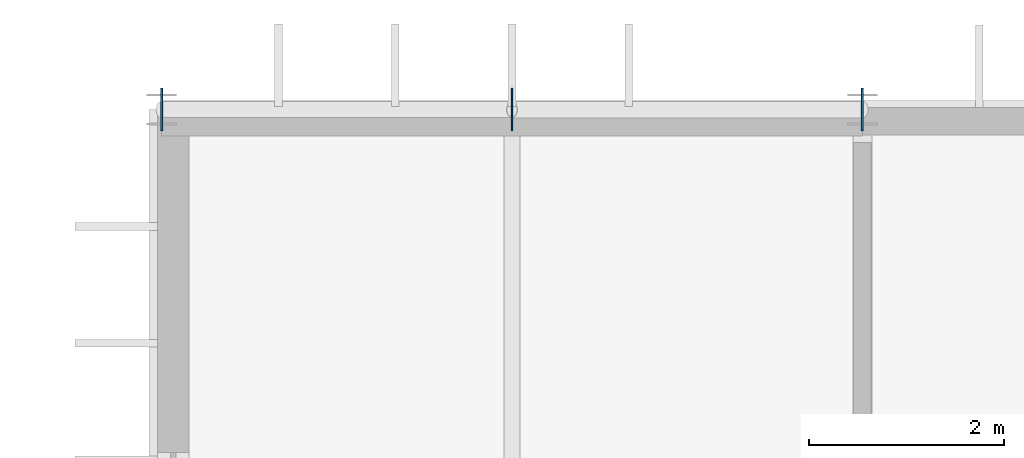
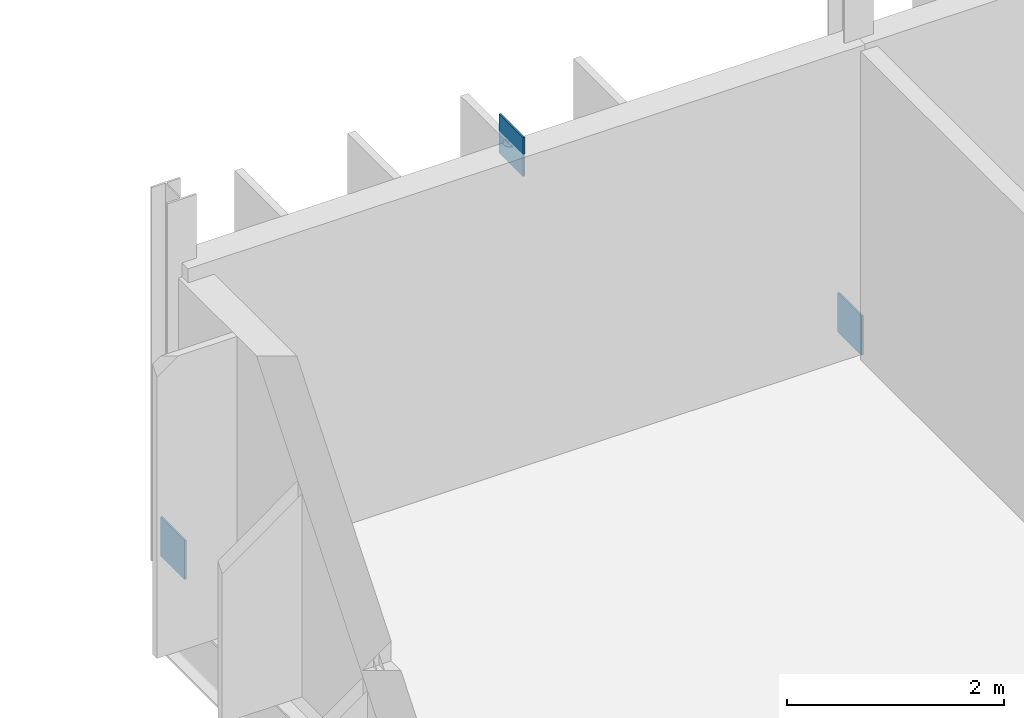
# One storey, part 74 of 99: 3 plates.
"""IFC4 building model written with IfcOpenShell, lengths in metres."""

import ifcopenshell
import ifcopenshell.guid

model = None  # the IFC model being written
_history = None  # IfcOwnerHistory: only IFC2X3 demands one
_inside = {}  # id of a spatial element -> (the spatial element, [elements in it])
_under = {}  # id of a project, library or spatial element -> (it, [spatial elements below it])
_declared = {}  # id of a project -> (the project, [libraries it declares])
_typed = {}  # id of a type object -> (the type object, [elements of that type])
_made_of = {}  # id of a material, layer set ... -> (it, [elements and type objects made of it])


def new_model(schema):
    """Start an empty IFC model of exactly this schema.

    Asked for "IFC4X3", IfcOpenShell would pick the latest addendum, in which some entities
    have other attributes; the version numbers below select the first issue.
    IFC2X3 requires an IfcOwnerHistory on every rooted entity: one is made here for all.
    """
    global model, _history
    if schema == "IFC4X3":
        model = ifcopenshell.file(schema_version=(4, 3, 0, 0))
    else:
        model = ifcopenshell.file(schema=schema)
    _inside.clear()
    _under.clear()
    _declared.clear()
    _typed.clear()
    _made_of.clear()
    _history = None
    if model.schema == "IFC2X3":
        org = make("IfcOrganization", Name="unknown")
        user = make(
            "IfcPersonAndOrganization",
            ThePerson=make("IfcPerson", FamilyName="unknown"),
            TheOrganization=org,
        )
        app = make(
            "IfcApplication",
            ApplicationDeveloper=org,
            Version="unknown",
            ApplicationFullName="unknown",
            ApplicationIdentifier="unknown",
        )
        _history = make(
            "IfcOwnerHistory",
            OwningUser=user,
            OwningApplication=app,
            ChangeAction="ADDED",
            CreationDate=0,
        )
    return model


def make(cls, **values):
    """One entity of the class cls with the attributes given. An attribute that is None is left unset."""
    return model.create_entity(
        cls, **{name: value for name, value in values.items() if value is not None}
    )


def rooted(cls, **values):
    """An entity with a GlobalId (a new one), such as an element, a storey or a relation."""
    return make(cls, GlobalId=ifcopenshell.guid.new(), OwnerHistory=_history, **values)


def si_unit(unit_type, name, prefix=None):
    """IfcSIUnit, for example si_unit("LENGTHUNIT", "METRE", prefix="MILLI")."""
    return make("IfcSIUnit", UnitType=unit_type, Prefix=prefix, Name=name)


def assignment(units):
    """IfcUnitAssignment: the units of a project."""
    return None if units is None else make("IfcUnitAssignment", Units=units)


def point(xyz):
    """IfcCartesianPoint."""
    return None if xyz is None else make("IfcCartesianPoint", Coordinates=xyz)


def direction(xyz):
    """IfcDirection."""
    return None if xyz is None else make("IfcDirection", DirectionRatios=xyz)


def frame(location, z_axis=None, x_axis=None):
    """IfcAxis2Placement3D, a coordinate frame: its origin and axes. An axis left out is left unset."""
    return make(
        "IfcAxis2Placement3D",
        Location=point(location),
        Axis=direction(z_axis),
        RefDirection=direction(x_axis),
    )


def frame_2d(location, x_axis=None):
    """IfcAxis2Placement2D, a coordinate frame in the plane: its origin and x axis."""
    return make(
        "IfcAxis2Placement2D", Location=point(location), RefDirection=direction(x_axis)
    )


def origin():
    """The frame at (0, 0, 0) with its axes left unset."""
    return frame((0.0, 0.0, 0.0))


def origin_2d():
    """The frame at (0, 0) in the plane with its x axis left unset."""
    return frame_2d((0.0, 0.0))


def place(relative_to, where):
    """IfcLocalPlacement: puts the frame where relative to a parent placement (None: the world)."""
    return make(
        "IfcLocalPlacement", PlacementRelTo=relative_to, RelativePlacement=where
    )


def context(
    kind, dimensions, precision=None, world=None, true_north=None, identifier=None
):
    """IfcGeometricRepresentationContext, for example the 3D "Model" context."""
    return make(
        "IfcGeometricRepresentationContext",
        ContextIdentifier=identifier,
        ContextType=kind,
        CoordinateSpaceDimension=dimensions,
        Precision=precision,
        WorldCoordinateSystem=world,
        TrueNorth=true_north,
    )


def subcontext(parent, identifier, kind, view, scale=None):
    """IfcGeometricRepresentationSubContext, for example "Body" below "Model"."""
    return make(
        "IfcGeometricRepresentationSubContext",
        ContextIdentifier=identifier,
        ContextType=kind,
        ParentContext=parent,
        TargetScale=scale,
        TargetView=view,
    )


def project(units=None, contexts=None):
    """IfcProject with its units and contexts."""
    return rooted(
        "IfcProject",
        Name="project",
        RepresentationContexts=contexts,
        UnitsInContext=assignment(units),
    )


def spatial(cls, under=None, at=None, **own):
    """A site, building, storey or space (cls), placed at a placement, below another one or the project."""
    s = rooted(cls, ObjectPlacement=at, **own)
    if under is not None:
        _under.setdefault(under.id(), (under, []))[1].append(s)
    return s


def profile(cls, at=None, kind="AREA", **sizes):
    """A parametric profile (cls). Its sizes go by their IFC names, for example OverallWidth=200.0."""
    return make(cls, ProfileType=kind, Position=at, **sizes)


def rectangle(**sizes):
    """IfcRectangleProfileDef."""
    return profile("IfcRectangleProfileDef", **sizes)


def extrude(swept, where, along, depth):
    """IfcExtrudedAreaSolid: the profile swept, set in the frame where, extruded along a direction by depth."""
    return make(
        "IfcExtrudedAreaSolid",
        SweptArea=swept,
        Position=where,
        ExtrudedDirection=direction(along),
        Depth=depth,
    )


def shape(context_of_items, identifier, shape_type, items):
    """IfcShapeRepresentation: the items that make up one representation, for example the "Body"."""
    return make(
        "IfcShapeRepresentation",
        ContextOfItems=context_of_items,
        RepresentationIdentifier=identifier,
        RepresentationType=shape_type,
        Items=items,
    )


def material(Name=None, Category=None):
    """IfcMaterial."""
    return make("IfcMaterial", Name=Name, Category=Category)


def layer(
    of_material, thickness, ventilated=None, Name=None, Category=None, Priority=None
):
    """IfcMaterialLayer: one layer of a wall or slab, of a material (None: an air gap)."""
    return make(
        "IfcMaterialLayer",
        Material=of_material,
        LayerThickness=thickness,
        IsVentilated=ventilated,
        Name=Name,
        Category=Category,
        Priority=Priority,
    )


def layer_set(layers, Name=None):
    """IfcMaterialLayerSet."""
    return make("IfcMaterialLayerSet", MaterialLayers=layers, LayerSetName=Name)


def made_of(thing, what):
    """Note that an element or type object is made of a material, layer set ...; save() writes the relation."""
    if what is not None:
        _made_of.setdefault(what.id(), (what, []))[1].append(thing)
    return thing


def type_object(cls, material=None, **own):
    """A type object (cls), such as IfcWallType, which elements share."""
    return made_of(rooted(cls, **own), material)


def element(
    cls,
    number,
    at=None,
    inside=None,
    cuts=None,
    type_object=None,
    material=None,
    context=None,
    identifier="Body",
    shape_type=None,
    held_by="IfcProductDefinitionShape",
    body=None,
    shapes=None,
    **own,
):
    """One element of the class cls, such as IfcWall. Its Tag is "e" and its number.

    at: its placement. inside: the storey or other place that contains it. cuts: it is an
    opening in that element (IfcRelVoidsElement). A single representation is given by context,
    identifier, shape_type and body (its items); several are given by shapes. held_by: the class
    of the entity that holds the representations. save() writes the other relations.
    """
    e = rooted(cls, Tag="e%d" % number, ObjectPlacement=at, **own)
    if body is not None:
        shapes = [shape(context, identifier, shape_type, body)]
    if shapes is not None:
        e.Representation = make(held_by, Representations=shapes)
    if inside is not None:
        _inside.setdefault(inside.id(), (inside, []))[1].append(e)
    if cuts is not None:
        rooted(
            "IfcRelVoidsElement", RelatingBuildingElement=cuts, RelatedOpeningElement=e
        )
    if type_object is not None:
        _typed.setdefault(type_object.id(), (type_object, []))[1].append(e)
    return made_of(e, material)


def aggregate(whole, parts):
    """IfcRelAggregates: a whole, such as a stair, and the parts it consists of."""
    return rooted("IfcRelAggregates", RelatingObject=whole, RelatedObjects=parts)


def save(model, path):
    """Write the relations noted so far, then the file.

    IfcRelAggregates (storeys below a building ...), IfcRelContainedInSpatialStructure (elements
    in a storey), IfcRelDefinesByType, IfcRelAssociatesMaterial and IfcRelDeclares: one each for
    every whole, place, type object, material and project.
    """
    for whole, parts in _under.values():
        aggregate(whole, parts)
    for where, things in _inside.values():
        rooted(
            "IfcRelContainedInSpatialStructure",
            RelatedElements=things,
            RelatingStructure=where,
        )
    for kind, things in _typed.values():
        rooted("IfcRelDefinesByType", RelatedObjects=things, RelatingType=kind)
    for what, things in _made_of.values():
        rooted("IfcRelAssociatesMaterial", RelatedObjects=things, RelatingMaterial=what)
    for by, libraries in _declared.values():
        rooted("IfcRelDeclares", RelatingContext=by, RelatedDefinitions=libraries)
    model.write(path)


model = new_model("IFC4")

# Units and contexts
model_context = context("Model", 3, precision=1e-05, world=origin(), true_north=direction((0.0, 1.0)))
body_context = subcontext(model_context, "Body", "Model", "MODEL_VIEW")
ifc_project = project(units=[si_unit("LENGTHUNIT", "METRE"), si_unit("AREAUNIT", "SQUARE_METRE"), si_unit("VOLUMEUNIT", "CUBIC_METRE"), si_unit("PLANEANGLEUNIT", "RADIAN"), si_unit("MASSUNIT", "GRAM", prefix="KILO")], contexts=[model_context])

# Site, building, storey
site_placement = place(None, origin())
site = spatial("IfcSite", under=ifc_project, at=site_placement, CompositionType="ELEMENT")
building_placement = place(site_placement, origin())
building = spatial("IfcBuilding", under=site, at=building_placement, Name="Qelthora Terrace Specialist Clinic", CompositionType="ELEMENT")
storey_placement = place(building_placement, frame((0.0, 0.0, 9.0)))
storey = spatial("IfcBuildingStorey", under=building, at=storey_placement, Name="L02", CompositionType="ELEMENT", Elevation=9.0)

# Plates
ifc_material = material(Name="Steel S355", Category="steel")
ifc_layer = layer(ifc_material, 0.02001953125)
ifc_layer_set = layer_set([ifc_layer], Name="Steel S355")
plate_type = type_object("IfcPlateType", Name="PLT-GUS-480X480X20", PredefinedType="USERDEFINED", material=ifc_layer_set)
for number, where, z_axis, x_axis, name in (
    (1, (57.60009765625, 109.199951171875, -0.0400390625), (0.0, 0.0, 1.0), (1.0, 0.0, 0.0), "Steel truss node plate GPLT-0194"),
    (2, (61.199951171875, 109.199951171875, 3.22998046875), (0.0, 0.0, 1.0), (1.0, 0.0, 0.0), "Steel truss node plate GPLT-0195"),
    (3, (64.800048828125, 109.199951171875, -0.0400390625), (0.0, 0.0, 1.0), (1.0, 0.0, 0.0), "Steel truss node plate GPLT-0196"),
):
    element("IfcPlate", number, at=place(storey_placement, frame(where, z_axis=z_axis, x_axis=x_axis)), inside=storey, type_object=plate_type, Name=name, ObjectType="GUSSET PLATE", PredefinedType="USERDEFINED", context=body_context, shape_type="SweptSolid", body=[
        extrude(rectangle(XDim=0.02001953125, YDim=0.43994140625, at=origin_2d()), origin(), (0.0, 0.0, 1.0), 0.43994140625),
    ])

save(model, "model.ifc")
